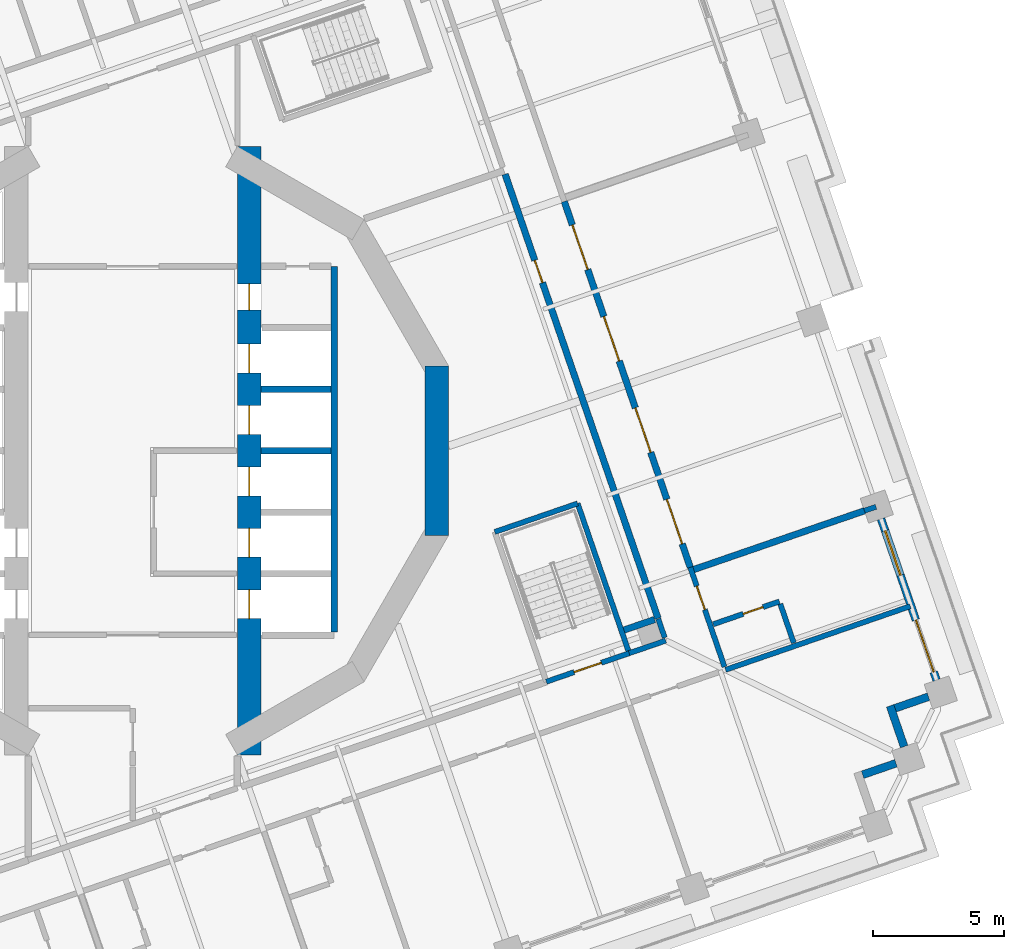
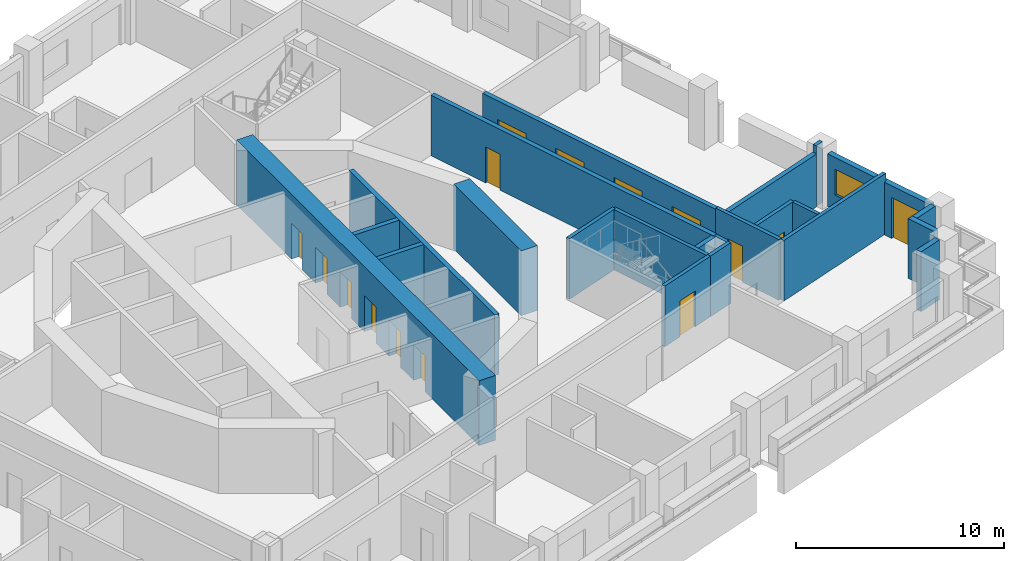
# One storey, part 7 of 19: 23 walls, 15 doors, 1 window, 16 openings.
"""IFC4 building model written with IfcOpenShell, lengths in metres."""

from ifc_helpers import new_model, si_unit, direction, frame, frame_2d, origin, place, context, subcontext, project, spatial, rectangle, extrude, material, layer, layer_set, type_object, element, fill, save


model = new_model("IFC4")

# Units and contexts
model_context = context("Model", 3, precision=1e-05, world=origin(), true_north=direction((0.0, 1.0)))
body_context = subcontext(model_context, "Body", "Model", "MODEL_VIEW")
ifc_project = project(units=[si_unit("LENGTHUNIT", "METRE"), si_unit("AREAUNIT", "SQUARE_METRE"), si_unit("VOLUMEUNIT", "CUBIC_METRE"), si_unit("PLANEANGLEUNIT", "RADIAN"), si_unit("MASSUNIT", "GRAM", prefix="KILO")], contexts=[model_context])

# Site, building, storey
site_placement = place(None, origin())
site = spatial("IfcSite", under=ifc_project, at=site_placement, CompositionType="ELEMENT")
building_placement = place(site_placement, origin())
building = spatial("IfcBuilding", under=site, at=building_placement, Name="Cantera Rosa Tower", CompositionType="ELEMENT")
storey_placement = place(building_placement, frame((0.0, 0.0, 111.699951171875)))
storey = spatial("IfcBuildingStorey", under=building, at=storey_placement, Name="L22", CompositionType="ELEMENT", Elevation=111.699951171875)

# Walls
ifc_material_1 = material(Name="Gypsum board partition")
ifc_layer_1 = layer(ifc_material_1, 0.199951171875)
ifc_layer_set_1 = layer_set([ifc_layer_1], Name="CORRIDOR WALL 200 H3550")
wall_type_1 = type_object("IfcWallType", Name="CORRIDOR WALL 200 H3550", PredefinedType="PARTITIONING", material=ifc_layer_set_1)
wall_1_placement = place(storey_placement, frame((18.978271484375, -7.7431640625, 0.0), z_axis=(0.0, 0.0, 1.0), x_axis=(0.945529243519, 0.32553717092, 0.0)))
element("IfcWall", 1, at=wall_1_placement, inside=storey, type_object=wall_type_1, Name="CORRIDOR WALL L22-101", PredefinedType="PARTITIONING", context=body_context, shape_type="SweptSolid", body=[
    extrude(rectangle(XDim=1.4765625, YDim=0.199951171875, at=frame_2d((0.73828125, 0.0))), origin(), (0.0, 0.0, 1.0), 3.550048828125),
])
wall_2_placement = place(storey_placement, frame((20.33544921875, -7.14892578125, 0.0), z_axis=(0.0, 0.0, 1.0), x_axis=(-0.32575306004, 0.945454887276, 0.0)))
element("IfcWall", 2, at=wall_2_placement, inside=storey, type_object=wall_type_1, Name="CORRIDOR WALL L22-104", PredefinedType="PARTITIONING", context=body_context, shape_type="SweptSolid", body=[
    extrude(rectangle(XDim=0.760009765625, YDim=0.199951171875, at=frame_2d((0.3798828125, 0.0))), origin(), (0.0, 0.0, 1.0), 3.550048828125),
])

# Wall, opening, door
wall_3_placement = place(storey_placement, frame((22.623291015625, -8.264892578125, 0.0), z_axis=(0.0, 0.0, 1.0), x_axis=(-0.325528940761, 0.945532077048, 0.0)))
wall_3 = element("IfcWall", 3, at=wall_3_placement, inside=storey, type_object=wall_type_1, Name="CORRIDOR WALL L22-107", PredefinedType="PARTITIONING", context=body_context, shape_type="SweptSolid", body=[
    extrude(rectangle(XDim=4.025146484375, YDim=0.199951171875, at=frame_2d((2.0126953125, 0.0))), origin(), (0.0, 0.0, 1.0), 3.550048828125),
])
opening_1_placement = place(wall_3_placement, frame((2.31494140625, 0.0, 0.0)))
opening_1 = element("IfcOpeningElement", 4, at=opening_1_placement, cuts=wall_3, Name="Opening L22-015", PredefinedType="OPENING", context=body_context, shape_type="SweptSolid", body=[
    extrude(rectangle(XDim=0.949951171875, YDim=2.10009765625, at=frame_2d((0.47509765625, 1.050048828125))), frame((0.0, 0.10986328125, 0.0), z_axis=(0.0, -1.0, 0.0), x_axis=(1.0, 0.0, 0.0)), (0.0, 0.0, 1.0), 0.219970703125),
])
ifc_material_2 = material(Name="Timber door leaf", Category="wood")
door_type_1 = type_object("IfcDoorType", Name="ROOM DOOR 950x2100", OperationType="NOTDEFINED", PredefinedType="DOOR", material=ifc_material_2)
door_1_placement = place(opening_1_placement, origin())
door_1 = element("IfcDoor", 5, at=door_1_placement, inside=storey, type_object=door_type_1, Name="DOOR L22-015", OperationType="NOTDEFINED", OverallHeight=2.10009765625, OverallWidth=0.949951171875, PredefinedType="DOOR", context=body_context, shape_type="SweptSolid", body=[
    extrude(rectangle(XDim=0.949951171875, YDim=2.10009765625, at=frame_2d((0.47509765625, 1.050048828125))), frame((0.0, 0.02490234375, 0.0), z_axis=(0.0, -1.0, 0.0), x_axis=(1.0, 0.0, 0.0)), (0.0, 0.0, 1.0), 0.050048828125),
])
fill(opening_1, door_1)

# Walls
ifc_material_3 = material(Name="Hollow clay masonry with cantera stone cladding", Category="masonry")
ifc_layer_2 = layer(ifc_material_3, 0.300048828125)
ifc_layer_set_2 = layer_set([ifc_layer_2], Name="EW-LOGGIA 300")
wall_type_2 = type_object("IfcWallType", Name="EW-LOGGIA 300", PredefinedType="SOLIDWALL", material=ifc_layer_set_2)
wall_4_placement = place(storey_placement, frame((27.904052734375, -12.390380859375, 0.0), z_axis=(0.0, 0.0, 1.0), x_axis=(0.945545797087, 0.325489086777, 0.0)))
element("IfcWall", 6, at=wall_4_placement, inside=storey, type_object=wall_type_2, Name="EN-L22-W29b", PredefinedType="SOLIDWALL", context=body_context, shape_type="SweptSolid", body=[
    extrude(rectangle(XDim=1.35009765625, YDim=0.300048828125, at=frame_2d((0.675048828125, 0.0))), origin(), (0.0, 0.0, 1.0), 3.5),
])
wall_5_placement = place(storey_placement, frame((29.490478515625, -11.315185546875, 0.0), z_axis=(0.0, 0.0, 1.0), x_axis=(-0.32553462645, 0.945530119553, 0.0)))
element("IfcWall", 7, at=wall_5_placement, inside=storey, type_object=wall_type_2, Name="EN-L22-W30a", PredefinedType="SOLIDWALL", context=body_context, shape_type="SweptSolid", body=[
    extrude(rectangle(XDim=1.64990234375, YDim=0.300048828125, at=frame_2d((0.824951171875, 0.0))), origin(), (0.0, 0.0, 1.0), 3.5),
])
wall_6_placement = place(storey_placement, frame((29.14404296875, -9.84814453125, 0.0), z_axis=(0.0, 0.0, 1.0), x_axis=(0.945526634763, 0.325544748006, 0.0)))
element("IfcWall", 8, at=wall_6_placement, inside=storey, type_object=wall_type_2, Name="EN-L22-W30b", PredefinedType="SOLIDWALL", context=body_context, shape_type="SweptSolid", body=[
    extrude(rectangle(XDim=1.349853515625, YDim=0.300048828125, at=frame_2d((0.6748046875, 0.0))), origin(), (0.0, 0.0, 1.0), 3.5),
])

# Wall, openings, window, door
ifc_material_4 = material(Name="Hollow clay masonry with cantera stone cladding", Category="masonry")
ifc_layer_3 = layer(ifc_material_4, 0.300048828125)
ifc_layer_set_3 = layer_set([ifc_layer_3], Name="EW-LOGGIA 300 H3090")
wall_type_3 = type_object("IfcWallType", Name="EW-LOGGIA 300 H3090", PredefinedType="SOLIDWALL", material=ifc_layer_set_3)
wall_7_placement = place(storey_placement, frame((30.73046875, -8.773193359375, 0.0), z_axis=(0.0, 0.0, 1.0), x_axis=(-0.325580990241, 0.945514155787, 0.0)))
wall_7 = element("IfcWall", 9, at=wall_7_placement, inside=storey, type_object=wall_type_3, Name="EN-L22-W01", PredefinedType="SOLIDWALL", context=body_context, shape_type="SweptSolid", body=[
    extrude(rectangle(XDim=6.52001953125, YDim=0.300048828125, at=frame_2d((3.260009765625, 0.0))), origin(), (0.0, 0.0, 1.0), 3.090087890625),
])
opening_2_placement = place(wall_7_placement, frame((0.330078125, 0.0, 0.0)))
opening_2 = element("IfcOpeningElement", 10, at=opening_2_placement, cuts=wall_7, Name="Opening L22-TD01", PredefinedType="OPENING", context=body_context, shape_type="SweptSolid", body=[
    extrude(rectangle(XDim=2.10009765625, YDim=2.39990234375, at=frame_2d((1.050048828125, 1.199951171875))), frame((0.0, 0.159912109375, 0.0), z_axis=(0.0, -1.0, 0.0), x_axis=(1.0, 0.0, 0.0)), (0.0, 0.0, 1.0), 0.320068359375),
])
opening_3_placement = place(wall_7_placement, frame((4.239990234375, 0.0, 0.89990234375)))
opening_3 = element("IfcOpeningElement", 11, at=opening_3_placement, cuts=wall_7, Name="Opening L22-W02", PredefinedType="OPENING", context=body_context, shape_type="SweptSolid", body=[
    extrude(rectangle(XDim=1.800048828125, YDim=1.5, at=frame_2d((0.89990234375, 0.75))), frame((0.0, 0.159912109375, 0.0), z_axis=(0.0, -1.0, 0.0), x_axis=(1.0, 0.0, 0.0)), (0.0, 0.0, 1.0), 0.320068359375),
])
ifc_material_5 = material(Name="Aluminium frame with clear glass", Category="aluminium")
window_type = type_object("IfcWindowType", Name="Hotel room window 1800x1500", PartitioningType="DOUBLE_PANEL_VERTICAL", PredefinedType="WINDOW", material=ifc_material_5)
window_placement = place(opening_3_placement, origin())
window = element("IfcWindow", 12, at=window_placement, inside=storey, type_object=window_type, Name="WINDOW L22-W02", OverallHeight=1.5, OverallWidth=1.800048828125, PartitioningType="SINGLE_PANEL", PredefinedType="WINDOW", context=body_context, shape_type="SweptSolid", body=[
    extrude(rectangle(XDim=1.800048828125, YDim=1.5, at=frame_2d((0.89990234375, 0.75))), frame((0.0, 0.030029296875, 0.0), z_axis=(0.0, -1.0, 0.0), x_axis=(1.0, 0.0, 0.0)), (0.0, 0.0, 1.0), 0.06005859375),
])
fill(opening_3, window)
ifc_material_6 = material(Name="Aluminium frame with clear glass", Category="aluminium")
door_type_2 = type_object("IfcDoorType", Name="TD-H 2100x2400", OperationType="NOTDEFINED", PredefinedType="DOOR", material=ifc_material_6)
door_2_placement = place(opening_2_placement, origin())
door_2 = element("IfcDoor", 13, at=door_2_placement, inside=storey, type_object=door_type_2, Name="LOGGIA DOOR L22-TD01", OperationType="SLIDING_TO_LEFT", OverallHeight=2.39990234375, OverallWidth=2.10009765625, PredefinedType="DOOR", context=body_context, shape_type="SweptSolid", body=[
    extrude(rectangle(XDim=2.10009765625, YDim=2.39990234375, at=frame_2d((1.050048828125, 1.199951171875))), frame((0.0, 0.02490234375, 0.0), z_axis=(0.0, -1.0, 0.0), x_axis=(1.0, 0.0, 0.0)), (0.0, 0.0, 1.0), 0.050048828125),
])
fill(opening_2, door_2)

# Wall
ifc_material_7 = material(Name="Concrete C40/50", Category="concrete")
ifc_layer_4 = layer(ifc_material_7, 0.25)
ifc_layer_set_4 = layer_set([ifc_layer_4], Name="EW-POCKET CHEEK 250 H3090")
wall_type_4 = type_object("IfcWallType", Name="EW-POCKET CHEEK 250 H3090", PredefinedType="SOLIDWALL", material=ifc_layer_set_4)
wall_8_placement = place(storey_placement, frame((27.97216796875, -2.29833984375, 0.0), z_axis=(0.0, 0.0, 1.0), x_axis=(-0.945519909688, -0.325564279958, 0.0)))
element("IfcWall", 14, at=wall_8_placement, inside=storey, type_object=wall_type_4, Name="POCKET CHEEK A L22", PredefinedType="SOLIDWALL", context=body_context, shape_type="SweptSolid", body=[
    extrude(rectangle(XDim=6.89990234375, YDim=0.25, at=frame_2d((3.449951171875, 0.0))), origin(), (0.0, 0.0, 1.0), 3.090087890625),
])

# Wall, openings, doors
ifc_material_8 = material(Name="Hollow clay masonry with cantera stone cladding", Category="masonry")
ifc_layer_5 = layer(ifc_material_8, 0.25)
ifc_layer_set_5 = layer_set([ifc_layer_5], Name="EW-POCKET REAR 250")
wall_type_5 = type_object("IfcWallType", Name="EW-POCKET REAR 250", PredefinedType="SOLIDWALL", material=ifc_layer_set_5)
wall_9_placement = place(storey_placement, frame((21.31298828125, -4.459228515625, 0.0), z_axis=(0.0, 0.0, 1.0), x_axis=(-0.325566889914, 0.945519011016, 0.0)))
wall_9 = element("IfcWall", 15, at=wall_9_placement, inside=storey, type_object=wall_type_5, Name="POCKET REAR L22", PredefinedType="SOLIDWALL", context=body_context, shape_type="SweptSolid", body=[
    extrude(rectangle(XDim=14.7900390625, YDim=0.25, at=frame_2d((7.39501953125, 0.0))), origin(), (0.0, 0.0, 1.0), 3.5),
])
opening_4_placement = place(wall_9_placement, frame((0.94873046875, 0.0, 0.0)))
opening_4 = element("IfcOpeningElement", 16, at=opening_4_placement, cuts=wall_9, Name="Opening L22-LT01", PredefinedType="OPENING", context=body_context, shape_type="SweptSolid", body=[
    extrude(rectangle(XDim=1.800048828125, YDim=2.39990234375, at=frame_2d((0.89990234375, 1.199951171875))), frame((0.0, 0.135009765625, 0.0), z_axis=(0.0, -1.0, 0.0), x_axis=(1.0, 0.0, 0.0)), (0.0, 0.0, 1.0), 0.27001953125),
])
opening_5_placement = place(wall_9_placement, frame((4.646240234375, 0.0, 0.0)))
opening_5 = element("IfcOpeningElement", 17, at=opening_5_placement, cuts=wall_9, Name="Opening L22-LT02", PredefinedType="OPENING", context=body_context, shape_type="SweptSolid", body=[
    extrude(rectangle(XDim=1.800048828125, YDim=2.39990234375, at=frame_2d((0.89990234375, 1.199951171875))), frame((0.0, 0.135009765625, 0.0), z_axis=(0.0, -1.0, 0.0), x_axis=(1.0, 0.0, 0.0)), (0.0, 0.0, 1.0), 0.27001953125),
])
opening_6_placement = place(wall_9_placement, frame((8.34375, 0.0, 0.0)))
opening_6 = element("IfcOpeningElement", 18, at=opening_6_placement, cuts=wall_9, Name="Opening L22-LT03", PredefinedType="OPENING", context=body_context, shape_type="SweptSolid", body=[
    extrude(rectangle(XDim=1.800048828125, YDim=2.39990234375, at=frame_2d((0.89990234375, 1.199951171875))), frame((0.0, 0.135009765625, 0.0), z_axis=(0.0, -1.0, 0.0), x_axis=(1.0, 0.0, 0.0)), (0.0, 0.0, 1.0), 0.27001953125),
])
opening_7_placement = place(wall_9_placement, frame((12.041259765625, 0.0, 0.0)))
opening_7 = element("IfcOpeningElement", 19, at=opening_7_placement, cuts=wall_9, Name="Opening L22-LT04", PredefinedType="OPENING", context=body_context, shape_type="SweptSolid", body=[
    extrude(rectangle(XDim=1.800048828125, YDim=2.39990234375, at=frame_2d((0.89990234375, 1.199951171875))), frame((0.0, 0.135009765625, 0.0), z_axis=(0.0, -1.0, 0.0), x_axis=(1.0, 0.0, 0.0)), (0.0, 0.0, 1.0), 0.27001953125),
])
ifc_material_9 = material(Name="Aluminium frame with clear glass", Category="aluminium")
door_type_3 = type_object("IfcDoorType", Name="TD-T 1800x2400", OperationType="NOTDEFINED", PredefinedType="DOOR", material=ifc_material_9)
door_3_placement = place(opening_4_placement, origin())
door_3 = element("IfcDoor", 20, at=door_3_placement, inside=storey, type_object=door_type_3, Name="TERRACE DOOR L22-LT01", OperationType="DOUBLE_DOOR_SINGLE_SWING", OverallHeight=2.39990234375, OverallWidth=1.800048828125, PredefinedType="DOOR", context=body_context, shape_type="SweptSolid", body=[
    extrude(rectangle(XDim=1.800048828125, YDim=2.39990234375, at=frame_2d((0.89990234375, 1.199951171875))), frame((0.0, 0.02490234375, 0.0), z_axis=(0.0, -1.0, 0.0), x_axis=(1.0, 0.0, 0.0)), (0.0, 0.0, 1.0), 0.050048828125),
])
fill(opening_4, door_3)
door_4_placement = place(opening_5_placement, origin())
door_4 = element("IfcDoor", 21, at=door_4_placement, inside=storey, type_object=door_type_3, Name="TERRACE DOOR L22-LT02", OperationType="DOUBLE_DOOR_SINGLE_SWING", OverallHeight=2.39990234375, OverallWidth=1.800048828125, PredefinedType="DOOR", context=body_context, shape_type="SweptSolid", body=[
    extrude(rectangle(XDim=1.800048828125, YDim=2.39990234375, at=frame_2d((0.89990234375, 1.199951171875))), frame((0.0, 0.02490234375, 0.0), z_axis=(0.0, -1.0, 0.0), x_axis=(1.0, 0.0, 0.0)), (0.0, 0.0, 1.0), 0.050048828125),
])
fill(opening_5, door_4)
door_5_placement = place(opening_6_placement, origin())
door_5 = element("IfcDoor", 22, at=door_5_placement, inside=storey, type_object=door_type_3, Name="TERRACE DOOR L22-LT03", OperationType="DOUBLE_DOOR_SINGLE_SWING", OverallHeight=2.39990234375, OverallWidth=1.800048828125, PredefinedType="DOOR", context=body_context, shape_type="SweptSolid", body=[
    extrude(rectangle(XDim=1.800048828125, YDim=2.39990234375, at=frame_2d((0.89990234375, 1.199951171875))), frame((0.0, 0.02490234375, 0.0), z_axis=(0.0, -1.0, 0.0), x_axis=(1.0, 0.0, 0.0)), (0.0, 0.0, 1.0), 0.050048828125),
])
fill(opening_6, door_5)
door_6_placement = place(opening_7_placement, origin())
door_6 = element("IfcDoor", 23, at=door_6_placement, inside=storey, type_object=door_type_3, Name="TERRACE DOOR L22-LT04", OperationType="DOUBLE_DOOR_SINGLE_SWING", OverallHeight=2.39990234375, OverallWidth=1.800048828125, PredefinedType="DOOR", context=body_context, shape_type="SweptSolid", body=[
    extrude(rectangle(XDim=1.800048828125, YDim=2.39990234375, at=frame_2d((0.89990234375, 1.199951171875))), frame((0.0, 0.02490234375, 0.0), z_axis=(0.0, -1.0, 0.0), x_axis=(1.0, 0.0, 0.0)), (0.0, 0.0, 1.0), 0.050048828125),
])
fill(opening_7, door_6)

# Wall, opening, door
ifc_material_10 = material(Name="Gypsum board partition")
ifc_layer_6 = layer(ifc_material_10, 0.199951171875)
ifc_layer_set_6 = layer_set([ifc_layer_6], Name="PARTITION 200 H3550")
wall_type_6 = type_object("IfcWallType", Name="PARTITION 200 H3550", PredefinedType="PARTITIONING", material=ifc_layer_set_6)
wall_10_placement = place(storey_placement, frame((22.189697265625, -6.63720703125, 0.0), z_axis=(0.0, 0.0, 1.0), x_axis=(0.945549995074, 0.325476891368, 0.0)))
wall_10 = element("IfcWall", 24, at=wall_10_placement, inside=storey, type_object=wall_type_6, Name="PARTITION L22-106", PredefinedType="PARTITIONING", context=body_context, shape_type="SweptSolid", body=[
    extrude(rectangle(XDim=2.68017578125, YDim=0.199951171875, at=frame_2d((1.340087890625, 0.0))), origin(), (0.0, 0.0, 1.0), 3.550048828125),
])
opening_8_placement = place(wall_10_placement, frame((1.216064453125, 0.0, 0.0)))
opening_8 = element("IfcOpeningElement", 25, at=opening_8_placement, cuts=wall_10, Name="Opening L22-016", PredefinedType="OPENING", context=body_context, shape_type="SweptSolid", body=[
    extrude(rectangle(XDim=0.800048828125, YDim=2.10009765625, at=frame_2d((0.39990234375, 1.050048828125))), frame((0.0, 0.10986328125, 0.0), z_axis=(0.0, -1.0, 0.0), x_axis=(1.0, 0.0, 0.0)), (0.0, 0.0, 1.0), 0.219970703125),
])
ifc_material_11 = material(Name="Timber door leaf", Category="wood")
door_type_4 = type_object("IfcDoorType", Name="BATHROOM DOOR 800x2100", OperationType="NOTDEFINED", PredefinedType="DOOR", material=ifc_material_11)
door_7_placement = place(opening_8_placement, origin())
door_7 = element("IfcDoor", 26, at=door_7_placement, inside=storey, type_object=door_type_4, Name="DOOR L22-016", OperationType="NOTDEFINED", OverallHeight=2.10009765625, OverallWidth=0.800048828125, PredefinedType="DOOR", context=body_context, shape_type="SweptSolid", body=[
    extrude(rectangle(XDim=0.800048828125, YDim=2.10009765625, at=frame_2d((0.39990234375, 1.050048828125))), frame((0.0, 0.02490234375, 0.0), z_axis=(0.0, -1.0, 0.0), x_axis=(1.0, 0.0, 0.0)), (0.0, 0.0, 1.0), 0.050048828125),
])
fill(opening_8, door_7)

# Walls
wall_11_placement = place(storey_placement, frame((24.75634765625, -5.859375, 0.0), z_axis=(0.0, 0.0, 1.0), x_axis=(0.325576351052, -0.945515753246, 0.0)))
element("IfcWall", 27, at=wall_11_placement, inside=storey, type_object=wall_type_6, Name="PARTITION L22-110", PredefinedType="PARTITIONING", context=body_context, shape_type="SweptSolid", body=[
    extrude(rectangle(XDim=1.580078125, YDim=0.199951171875, at=frame_2d((0.7900390625, 0.0))), origin(), (0.0, 0.0, 1.0), 3.550048828125),
])
ifc_material_12 = material(Name="Gypsum board partition")
ifc_layer_7 = layer(ifc_material_12, 0.199951171875)
ifc_layer_set_7 = layer_set([ifc_layer_7], Name="PARTY WALL 200 H3550")
wall_type_7 = type_object("IfcWallType", Name="PARTY WALL 200 H3550", PredefinedType="PARTITIONING", material=ifc_layer_set_7)
wall_12_placement = place(storey_placement, frame((27.97216796875, -2.29833984375, 0.0), z_axis=(0.0, 0.0, 1.0), x_axis=(0.94546679243, 0.325718504865, 0.0)))
element("IfcWall", 28, at=wall_12_placement, inside=storey, type_object=wall_type_7, Name="PARTY WALL L22-105", PredefinedType="PARTITIONING", context=body_context, shape_type="SweptSolid", body=[
    extrude(rectangle(XDim=0.469970703125, YDim=0.199951171875, at=frame_2d((0.23486328125, 0.0))), origin(), (0.0, 0.0, 1.0), 3.550048828125),
])
wall_13_placement = place(storey_placement, frame((29.725341796875, -5.9462890625, 0.0), z_axis=(0.0, 0.0, 1.0), x_axis=(-0.945512517373, -0.325585748291, 0.0)))
element("IfcWall", 29, at=wall_13_placement, inside=storey, type_object=wall_type_7, Name="PARTY WALL L22-111", PredefinedType="PARTITIONING", context=body_context, shape_type="SweptSolid", body=[
    extrude(rectangle(XDim=7.469970703125, YDim=0.199951171875, at=frame_2d((3.73486328125, 0.0))), origin(), (0.0, 0.0, 1.0), 3.550048828125),
])
ifc_material_13 = material(Name="Concrete C70/85", Category="concrete")
ifc_layer_8 = layer(ifc_material_13, 0.89990234375)
ifc_layer_set_8 = layer_set([ifc_layer_8], Name="RC CORE WALL 900 C70/85")
wall_type_8 = type_object("IfcWallType", Name="RC CORE WALL 900 C70/85", PredefinedType="SHEAR", material=ifc_layer_set_8)
wall_14_placement = place(storey_placement, frame((11.6240234375, 3.2353515625, 0.0), z_axis=(0.0, 0.0, 1.0), x_axis=(0.0, -1.0, 0.0)))
element("IfcWall", 30, at=wall_14_placement, inside=storey, type_object=wall_type_8, Name="CW-E3 L22", PredefinedType="SHEAR", context=body_context, shape_type="SweptSolid", body=[
    extrude(rectangle(XDim=6.470703125, YDim=0.89990234375, at=frame_2d((3.2353515625, 0.0))), origin(), (0.0, 0.0, 1.0), 3.800048828125),
])

# Wall, openings, doors
wall_15_placement = place(storey_placement, frame((4.449951171875, -11.632568359375, 0.0), z_axis=(0.0, 0.0, 1.0), x_axis=(0.0, 1.0, 0.0)))
wall_15 = element("IfcWall", 31, at=wall_15_placement, inside=storey, type_object=wall_type_8, Name="CW-E6 L22", PredefinedType="SHEAR", context=body_context, shape_type="SweptSolid", body=[
    extrude(rectangle(XDim=23.26513671875, YDim=0.89990234375, at=frame_2d((11.632568359375, 0.0))), origin(), (0.0, 0.0, 1.0), 3.800048828125),
])
opening_9_placement = place(wall_15_placement, frame((7.5576171875, 0.0, 0.0)))
opening_9 = element("IfcOpeningElement", 32, at=opening_9_placement, cuts=wall_15, Name="Opening LD-FF1-L22", PredefinedType="OPENING", context=body_context, shape_type="SweptSolid", body=[
    extrude(rectangle(XDim=1.10009765625, YDim=2.10009765625, at=frame_2d((0.550048828125, 1.050048828125))), frame((0.0, 0.4599609375, 0.0), z_axis=(0.0, -1.0, 0.0), x_axis=(1.0, 0.0, 0.0)), (0.0, 0.0, 1.0), 0.919921875),
])
opening_10_placement = place(wall_15_placement, frame((9.907470703125, 0.0, 0.0)))
opening_10 = element("IfcOpeningElement", 33, at=opening_10_placement, cuts=wall_15, Name="Opening LD-FF2-L22", PredefinedType="OPENING", context=body_context, shape_type="SweptSolid", body=[
    extrude(rectangle(XDim=1.10009765625, YDim=2.10009765625, at=frame_2d((0.550048828125, 1.050048828125))), frame((0.0, 0.4599609375, 0.0), z_axis=(0.0, -1.0, 0.0), x_axis=(1.0, 0.0, 0.0)), (0.0, 0.0, 1.0), 0.919921875),
])
opening_11_placement = place(wall_15_placement, frame((12.257568359375, 0.0, 0.0)))
opening_11 = element("IfcOpeningElement", 34, at=opening_11_placement, cuts=wall_15, Name="Opening LD-P1-L22", PredefinedType="OPENING", context=body_context, shape_type="SweptSolid", body=[
    extrude(rectangle(XDim=1.10009765625, YDim=2.10009765625, at=frame_2d((0.550048828125, 1.050048828125))), frame((0.0, 0.4599609375, 0.0), z_axis=(0.0, -1.0, 0.0), x_axis=(1.0, 0.0, 0.0)), (0.0, 0.0, 1.0), 0.919921875),
])
opening_12_placement = place(wall_15_placement, frame((14.607421875, 0.0, 0.0)))
opening_12 = element("IfcOpeningElement", 35, at=opening_12_placement, cuts=wall_15, Name="Opening LD-P2-L22", PredefinedType="OPENING", context=body_context, shape_type="SweptSolid", body=[
    extrude(rectangle(XDim=1.10009765625, YDim=2.10009765625, at=frame_2d((0.550048828125, 1.050048828125))), frame((0.0, 0.4599609375, 0.0), z_axis=(0.0, -1.0, 0.0), x_axis=(1.0, 0.0, 0.0)), (0.0, 0.0, 1.0), 0.919921875),
])
opening_13_placement = place(wall_15_placement, frame((5.20751953125, 0.0, 0.0)))
opening_13 = element("IfcOpeningElement", 36, at=opening_13_placement, cuts=wall_15, Name="Opening LD-P6-L22", PredefinedType="OPENING", context=body_context, shape_type="SweptSolid", body=[
    extrude(rectangle(XDim=1.10009765625, YDim=2.10009765625, at=frame_2d((0.550048828125, 1.050048828125))), frame((0.0, 0.4599609375, 0.0), z_axis=(0.0, -1.0, 0.0), x_axis=(1.0, 0.0, 0.0)), (0.0, 0.0, 1.0), 0.919921875),
])
opening_14_placement = place(wall_15_placement, frame((17.007568359375, 0.0, 0.0)))
opening_14 = element("IfcOpeningElement", 37, at=opening_14_placement, cuts=wall_15, Name="Opening SD-L22-13", PredefinedType="OPENING", context=body_context, shape_type="SweptSolid", body=[
    extrude(rectangle(XDim=1.0, YDim=2.10009765625, at=frame_2d((0.5, 1.050048828125))), frame((0.0, 0.4599609375, 0.0), z_axis=(0.0, -1.0, 0.0), x_axis=(1.0, 0.0, 0.0)), (0.0, 0.0, 1.0), 0.919921875),
])
ifc_material_14 = material(Name="Steel S355J2 (EN 10025-2)", Category="steel")
door_type_5 = type_object("IfcDoorType", Name="LANDING DOOR 1100x2100", OperationType="NOTDEFINED", PredefinedType="DOOR", material=ifc_material_14)
door_8_placement = place(opening_9_placement, origin())
door_8 = element("IfcDoor", 38, at=door_8_placement, inside=storey, type_object=door_type_5, Name="LANDING DOOR FF1 L22", OperationType="SLIDING_TO_LEFT", OverallHeight=2.10009765625, OverallWidth=1.10009765625, PredefinedType="DOOR", context=body_context, shape_type="SweptSolid", body=[
    extrude(rectangle(XDim=1.10009765625, YDim=2.10009765625, at=frame_2d((0.550048828125, 1.050048828125))), frame((0.0, 0.02490234375, 0.0), z_axis=(0.0, -1.0, 0.0), x_axis=(1.0, 0.0, 0.0)), (0.0, 0.0, 1.0), 0.050048828125),
])
fill(opening_9, door_8)
door_9_placement = place(opening_10_placement, origin())
door_9 = element("IfcDoor", 39, at=door_9_placement, inside=storey, type_object=door_type_5, Name="LANDING DOOR FF2 L22", OperationType="SLIDING_TO_LEFT", OverallHeight=2.10009765625, OverallWidth=1.10009765625, PredefinedType="DOOR", context=body_context, shape_type="SweptSolid", body=[
    extrude(rectangle(XDim=1.10009765625, YDim=2.10009765625, at=frame_2d((0.550048828125, 1.050048828125))), frame((0.0, 0.02490234375, 0.0), z_axis=(0.0, -1.0, 0.0), x_axis=(1.0, 0.0, 0.0)), (0.0, 0.0, 1.0), 0.050048828125),
])
fill(opening_10, door_9)
door_10_placement = place(opening_11_placement, origin())
door_10 = element("IfcDoor", 40, at=door_10_placement, inside=storey, type_object=door_type_5, Name="LANDING DOOR P1 L22", OperationType="SLIDING_TO_LEFT", OverallHeight=2.10009765625, OverallWidth=1.10009765625, PredefinedType="DOOR", context=body_context, shape_type="SweptSolid", body=[
    extrude(rectangle(XDim=1.10009765625, YDim=2.10009765625, at=frame_2d((0.550048828125, 1.050048828125))), frame((0.0, 0.02490234375, 0.0), z_axis=(0.0, -1.0, 0.0), x_axis=(1.0, 0.0, 0.0)), (0.0, 0.0, 1.0), 0.050048828125),
])
fill(opening_11, door_10)
door_11_placement = place(opening_12_placement, origin())
door_11 = element("IfcDoor", 41, at=door_11_placement, inside=storey, type_object=door_type_5, Name="LANDING DOOR P2 L22", OperationType="SLIDING_TO_LEFT", OverallHeight=2.10009765625, OverallWidth=1.10009765625, PredefinedType="DOOR", context=body_context, shape_type="SweptSolid", body=[
    extrude(rectangle(XDim=1.10009765625, YDim=2.10009765625, at=frame_2d((0.550048828125, 1.050048828125))), frame((0.0, 0.02490234375, 0.0), z_axis=(0.0, -1.0, 0.0), x_axis=(1.0, 0.0, 0.0)), (0.0, 0.0, 1.0), 0.050048828125),
])
fill(opening_12, door_11)
door_12_placement = place(opening_13_placement, origin())
door_12 = element("IfcDoor", 42, at=door_12_placement, inside=storey, type_object=door_type_5, Name="LANDING DOOR P6 L22", OperationType="SLIDING_TO_LEFT", OverallHeight=2.10009765625, OverallWidth=1.10009765625, PredefinedType="DOOR", context=body_context, shape_type="SweptSolid", body=[
    extrude(rectangle(XDim=1.10009765625, YDim=2.10009765625, at=frame_2d((0.550048828125, 1.050048828125))), frame((0.0, 0.02490234375, 0.0), z_axis=(0.0, -1.0, 0.0), x_axis=(1.0, 0.0, 0.0)), (0.0, 0.0, 1.0), 0.050048828125),
])
fill(opening_13, door_12)
ifc_material_15 = material(Name="Timber door leaf", Category="wood")
door_type_6 = type_object("IfcDoorType", Name="SERVICE DOOR 1000x2100", OperationType="NOTDEFINED", PredefinedType="DOOR", material=ifc_material_15)
door_13_placement = place(opening_14_placement, origin())
door_13 = element("IfcDoor", 43, at=door_13_placement, inside=storey, type_object=door_type_6, Name="DOOR L22-SD13", OperationType="NOTDEFINED", OverallHeight=2.10009765625, OverallWidth=1.0, PredefinedType="DOOR", context=body_context, shape_type="SweptSolid", body=[
    extrude(rectangle(XDim=1.0, YDim=2.10009765625, at=frame_2d((0.5, 1.050048828125))), frame((0.0, 0.02490234375, 0.0), z_axis=(0.0, -1.0, 0.0), x_axis=(1.0, 0.0, 0.0)), (0.0, 0.0, 1.0), 0.050048828125),
])
fill(opening_14, door_13)

# Walls
ifc_material_16 = material(Name="Masonry blockwork", Category="masonry")
ifc_layer_9 = layer(ifc_material_16, 0.25)
ifc_layer_set_9 = layer_set([ifc_layer_9], Name="SHAFT WALL 250 H3550")
wall_type_9 = type_object("IfcWallType", Name="SHAFT WALL 250 H3550", PredefinedType="SOLIDWALL", material=ifc_layer_set_9)
wall_16_placement = place(storey_placement, frame((4.89990234375, 0.0, 0.0), z_axis=(0.0, 0.0, 1.0), x_axis=(1.0, 0.0, 0.0)))
element("IfcWall", 44, at=wall_16_placement, inside=storey, type_object=wall_type_9, Name="SHAFT WALL L22-073", PredefinedType="SOLIDWALL", context=body_context, shape_type="SweptSolid", body=[
    extrude(rectangle(XDim=2.675048828125, YDim=0.25, at=frame_2d((1.33740234375, 0.0))), origin(), (0.0, 0.0, 1.0), 3.550048828125),
])
wall_17_placement = place(storey_placement, frame((7.699951171875, -6.929931640625, 0.0), z_axis=(0.0, 0.0, 1.0), x_axis=(0.0, 1.0, 0.0)))
element("IfcWall", 45, at=wall_17_placement, inside=storey, type_object=wall_type_9, Name="SHAFT WALL L22-080", PredefinedType="SOLIDWALL", context=body_context, shape_type="SweptSolid", body=[
    extrude(rectangle(XDim=13.97998046875, YDim=0.25, at=frame_2d((6.989990234375, 0.0))), origin(), (0.0, 0.0, 1.0), 3.550048828125),
])
wall_18_placement = place(storey_placement, frame((7.574951171875, 2.35009765625, 0.0), z_axis=(0.0, 0.0, 1.0), x_axis=(-1.0, 0.0, 0.0)))
element("IfcWall", 46, at=wall_18_placement, inside=storey, type_object=wall_type_9, Name="SHAFT WALL L22-082", PredefinedType="SOLIDWALL", context=body_context, shape_type="SweptSolid", body=[
    extrude(rectangle(XDim=2.675048828125, YDim=0.25, at=frame_2d((1.33740234375, 0.0))), origin(), (0.0, 0.0, 1.0), 3.550048828125),
])

# Wall, opening, door
wall_19_placement = place(storey_placement, frame((20.081298828125, -6.411376953125, 0.0), z_axis=(0.0, 0.0, 1.0), x_axis=(-0.325567528954, 0.945518790977, 0.0)))
wall_19 = element("IfcWall", 47, at=wall_19_placement, inside=storey, type_object=wall_type_9, Name="SHAFT WALL L22-102", PredefinedType="SOLIDWALL", context=body_context, shape_type="SweptSolid", body=[
    extrude(rectangle(XDim=17.9599609375, YDim=0.25, at=frame_2d((8.97998046875, 0.0))), origin(), (0.0, 0.0, 1.0), 3.550048828125),
])
opening_15_placement = place(wall_19_placement, frame((13.577392578125, 0.0, 0.0)))
opening_15 = element("IfcOpeningElement", 48, at=opening_15_placement, cuts=wall_19, Name="Opening L22-006", PredefinedType="OPENING", context=body_context, shape_type="SweptSolid", body=[
    extrude(rectangle(XDim=0.89990234375, YDim=2.10009765625, at=frame_2d((0.449951171875, 1.050048828125))), frame((0.0, 0.135009765625, 0.0), z_axis=(0.0, -1.0, 0.0), x_axis=(1.0, 0.0, 0.0)), (0.0, 0.0, 1.0), 0.27001953125),
])
ifc_material_17 = material(Name="Timber door leaf", Category="wood")
door_type_7 = type_object("IfcDoorType", Name="SERVICE DOOR 900x2100", OperationType="NOTDEFINED", PredefinedType="DOOR", material=ifc_material_17)
door_14_placement = place(opening_15_placement, origin())
door_14 = element("IfcDoor", 49, at=door_14_placement, inside=storey, type_object=door_type_7, Name="RISER DOOR L22-006", OperationType="NOTDEFINED", OverallHeight=2.10009765625, OverallWidth=0.89990234375, PredefinedType="DOOR", context=body_context, shape_type="SweptSolid", body=[
    extrude(rectangle(XDim=0.89990234375, YDim=2.10009765625, at=frame_2d((0.449951171875, 1.050048828125))), frame((0.0, 0.02490234375, 0.0), z_axis=(0.0, -1.0, 0.0), x_axis=(1.0, 0.0, 0.0)), (0.0, 0.0, 1.0), 0.050048828125),
])
fill(opening_15, door_14)

# Wall
wall_20_placement = place(storey_placement, frame((19.94921875, -6.45703125, 0.0), z_axis=(0.0, 0.0, 1.0), x_axis=(-0.945538581865, -0.325510046241, 0.0)))
element("IfcWall", 50, at=wall_20_placement, inside=storey, type_object=wall_type_9, Name="SHAFT WALL L22-103", PredefinedType="SOLIDWALL", context=body_context, shape_type="SweptSolid", body=[
    extrude(rectangle(XDim=1.23681640625, YDim=0.25, at=frame_2d((0.618408203125, 0.0))), origin(), (0.0, 0.0, 1.0), 3.550048828125),
])

# Wall, opening, door
ifc_material_18 = material(Name="Concrete C50/60", Category="concrete")
ifc_layer_10 = layer(ifc_material_18, 0.199951171875)
ifc_layer_set_10 = layer_set([ifc_layer_10], Name="STAIR WALL 200 H3550")
wall_type_10 = type_object("IfcWallType", Name="STAIR WALL 200 H3550", PredefinedType="SOLIDWALL", material=ifc_layer_set_10)
wall_21_placement = place(storey_placement, frame((15.810791015625, -8.833740234375, 0.0), z_axis=(0.0, 0.0, 1.0), x_axis=(0.945525450469, 0.325548187702, 0.0)))
wall_21 = element("IfcWall", 51, at=wall_21_placement, inside=storey, type_object=wall_type_10, Name="STAIR WALL L22-097", PredefinedType="SOLIDWALL", context=body_context, shape_type="SweptSolid", body=[
    extrude(rectangle(XDim=3.349853515625, YDim=0.199951171875, at=frame_2d((1.6748046875, 0.0))), origin(), (0.0, 0.0, 1.0), 3.550048828125),
])
opening_16_placement = place(wall_21_placement, frame((1.125, 0.0, 0.0)))
opening_16 = element("IfcOpeningElement", 52, at=opening_16_placement, cuts=wall_21, Name="Opening L22-003", PredefinedType="OPENING", context=body_context, shape_type="SweptSolid", body=[
    extrude(rectangle(XDim=1.10009765625, YDim=2.10009765625, at=frame_2d((0.550048828125, 1.050048828125))), frame((0.0, 0.10986328125, 0.0), z_axis=(0.0, -1.0, 0.0), x_axis=(1.0, 0.0, 0.0)), (0.0, 0.0, 1.0), 0.219970703125),
])
ifc_material_19 = material(Name="Steel S355J2 (EN 10025-2)", Category="steel")
door_type_8 = type_object("IfcDoorType", Name="STAIR DOOR 1100x2100", OperationType="NOTDEFINED", PredefinedType="DOOR", material=ifc_material_19)
door_15_placement = place(opening_16_placement, origin())
door_15 = element("IfcDoor", 53, at=door_15_placement, inside=storey, type_object=door_type_8, Name="DOOR L22-003", OperationType="NOTDEFINED", OverallHeight=2.10009765625, OverallWidth=1.10009765625, PredefinedType="DOOR", context=body_context, shape_type="SweptSolid", body=[
    extrude(rectangle(XDim=1.10009765625, YDim=2.10009765625, at=frame_2d((0.550048828125, 1.050048828125))), frame((0.0, 0.02490234375, 0.0), z_axis=(0.0, -1.0, 0.0), x_axis=(1.0, 0.0, 0.0)), (0.0, 0.0, 1.0), 0.050048828125),
])
fill(opening_16, door_15)

# Walls
wall_22_placement = place(storey_placement, frame((17.007080078125, -2.01806640625, 0.0), z_axis=(0.0, 0.0, 1.0), x_axis=(-0.945503015732, -0.325613340087, 0.0)))
element("IfcWall", 54, at=wall_22_placement, inside=storey, type_object=wall_type_10, Name="STAIR WALL L22-098", PredefinedType="SOLIDWALL", context=body_context, shape_type="SweptSolid", body=[
    extrude(rectangle(XDim=3.35009765625, YDim=0.199951171875, at=frame_2d((1.675048828125, 0.0))), origin(), (0.0, 0.0, 1.0), 3.550048828125),
])
wall_23_placement = place(storey_placement, frame((17.007080078125, -2.01806640625, 0.0), z_axis=(0.0, 0.0, 1.0), x_axis=(0.325550760545, -0.945524564625, 0.0)))
element("IfcWall", 55, at=wall_23_placement, inside=storey, type_object=wall_type_10, Name="STAIR WALL L22-099", PredefinedType="SOLIDWALL", context=body_context, shape_type="SweptSolid", body=[
    extrude(rectangle(XDim=6.054931640625, YDim=0.199951171875, at=frame_2d((3.02734375, 0.0))), origin(), (0.0, 0.0, 1.0), 3.550048828125),
])

save(model, "model.ifc")
